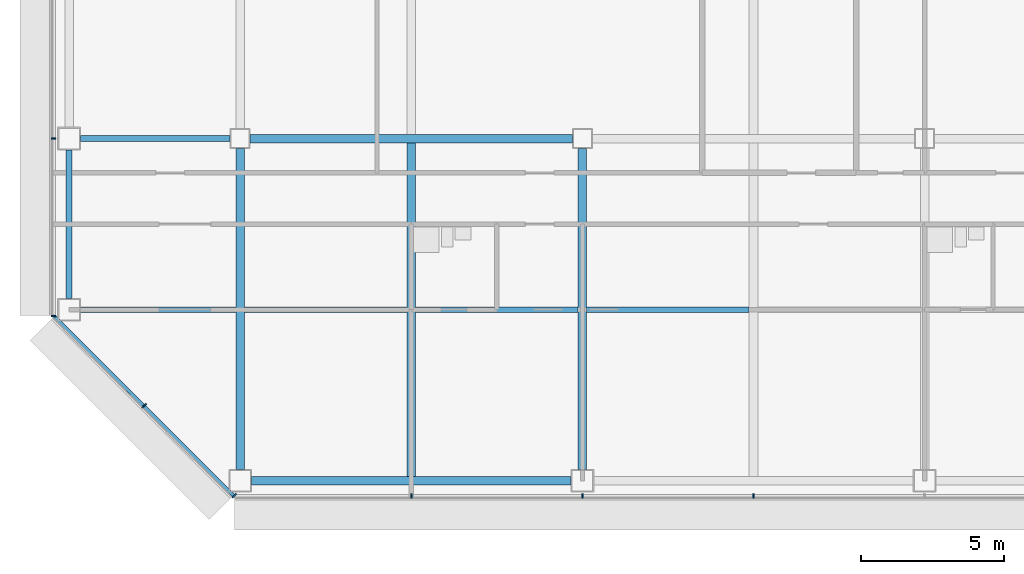
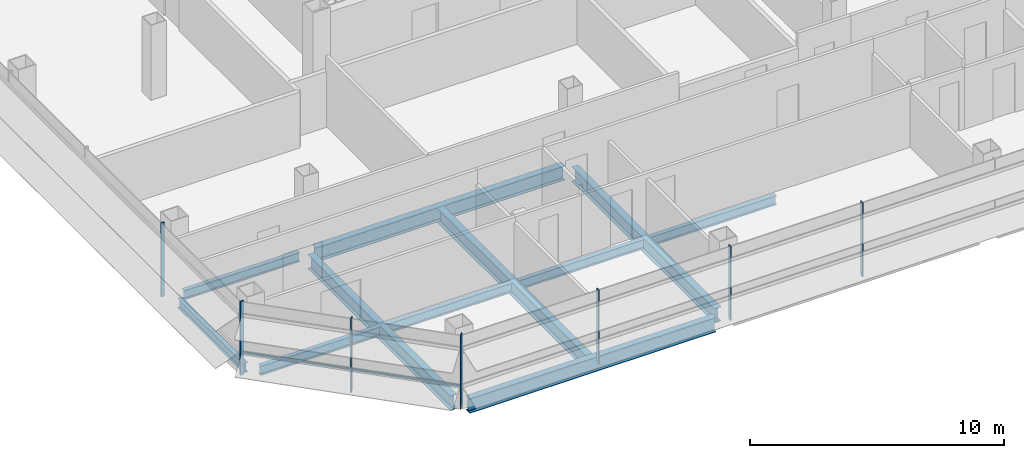
# One storey, part 2 of 26: 11 beams, 8 members, 3 elements without a shape of their own.
"""IFC4 building model written with IfcOpenShell, lengths in metres."""

from ifc_helpers import new_model, si_unit, direction, frame, origin, origin_2d, place, context, subcontext, project, spatial, rectangle, i_section, extrude, material, material_profile, profile_set, type_object, element, aggregate, save


model = new_model("IFC4")

# Units and contexts
model_context = context("Model", 3, precision=1e-05, world=origin(), true_north=direction((0.0, 1.0)))
body_context = subcontext(model_context, "Body", "Model", "MODEL_VIEW")
ifc_project = project(units=[si_unit("LENGTHUNIT", "METRE"), si_unit("AREAUNIT", "SQUARE_METRE"), si_unit("VOLUMEUNIT", "CUBIC_METRE"), si_unit("PLANEANGLEUNIT", "RADIAN"), si_unit("MASSUNIT", "GRAM", prefix="KILO")], contexts=[model_context])

# Site, building, storey
site_placement = place(None, origin())
site = spatial("IfcSite", under=ifc_project, at=site_placement, CompositionType="ELEMENT")
building_placement = place(site_placement, origin())
building = spatial("IfcBuilding", under=site, at=building_placement, Name="Sorahane Residences", CompositionType="ELEMENT")
storey_placement = place(building_placement, frame((0.0, 0.0, 110.60009765625)))
storey = spatial("IfcBuildingStorey", under=building, at=storey_placement, Name="L24", CompositionType="ELEMENT", Elevation=110.60009765625)

# Curtain wall, members
ifc_material_1 = material(Name="Dark low-e glass and black anodised aluminium", Category="aluminium")
curtain_wall_type_1 = type_object("IfcCurtainWallType", Name="Curtain wall CW-1 Typical unitised wall", PredefinedType="NOTDEFINED", material=ifc_material_1)
curtain_wall_1_placement = place(storey_placement, origin())
curtain_wall_1 = element("IfcCurtainWall", 1, at=curtain_wall_1_placement, inside=storey, type_object=curtain_wall_type_1, Name="CW-1 curtain wall L24 S1", PredefinedType="NOTDEFINED")
ifc_material_2 = material(Name="Black anodised aluminium", Category="aluminium")
ifc_material_profile_1 = material_profile(ifc_material_2, rectangle(XDim=0.159912109375, YDim=0.050048828125, at=origin_2d()), Name="Curtain wall mullion CW-1 black anodised aluminium 50x160")
ifc_profile_set_1 = profile_set([ifc_material_profile_1], Name="Black anodised aluminium")
member_type_1 = type_object("IfcMemberType", Name="Curtain wall mullion CW-1 black anodised aluminium 50x160", PredefinedType="MULLION", material=ifc_profile_set_1)
member_1_placement = place(storey_placement, frame((6.0, -0.5400390625, -0.18017578125), z_axis=(0.0, 0.0, 1.0), x_axis=(0.0, -1.0, 0.0)))
member_1 = element("IfcMember", 2, at=member_1_placement, type_object=member_type_1, Name="CW-1 mullion L24 S1.2", PredefinedType="MULLION", context=body_context, shape_type="SweptSolid", body=[
    extrude(rectangle(XDim=0.159912109375, YDim=0.050048828125, at=origin_2d()), origin(), (0.0, 0.0, 1.0), 3.56005859375),
])
member_2_placement = place(storey_placement, frame((12.0, -0.5400390625, -0.18017578125), z_axis=(0.0, 0.0, 1.0), x_axis=(0.0, -1.0, 0.0)))
member_2 = element("IfcMember", 3, at=member_2_placement, type_object=member_type_1, Name="CW-1 mullion L24 S1.3", PredefinedType="MULLION", context=body_context, shape_type="SweptSolid", body=[
    extrude(rectangle(XDim=0.159912109375, YDim=0.050048828125, at=origin_2d()), origin(), (0.0, 0.0, 1.0), 3.56005859375),
])
member_3_placement = place(storey_placement, frame((18.0, -0.5400390625, -0.18017578125), z_axis=(0.0, 0.0, 1.0), x_axis=(0.0, -1.0, 0.0)))
member_3 = element("IfcMember", 4, at=member_3_placement, type_object=member_type_1, Name="CW-1 mullion L24 S1.4", PredefinedType="MULLION", context=body_context, shape_type="SweptSolid", body=[
    extrude(rectangle(XDim=0.159912109375, YDim=0.050048828125, at=origin_2d()), origin(), (0.0, 0.0, 1.0), 3.56005859375),
])
aggregate(curtain_wall_1, [member_1, member_2, member_3])

curtain_wall_2_placement = place(storey_placement, origin())
curtain_wall_2 = element("IfcCurtainWall", 5, at=curtain_wall_2_placement, inside=storey, type_object=curtain_wall_type_1, Name="CW-1 curtain wall L24 W1", PredefinedType="NOTDEFINED")
member_4_placement = place(storey_placement, frame((-6.5400390625, 12.0, -0.18017578125), z_axis=(0.0, 0.0, 1.0), x_axis=(-1.0, 0.0, 0.0)))
member_4 = element("IfcMember", 6, at=member_4_placement, type_object=member_type_1, Name="CW-1 mullion L24 W1.6", PredefinedType="MULLION", context=body_context, shape_type="SweptSolid", body=[
    extrude(rectangle(XDim=0.159912109375, YDim=0.050048828125, at=origin_2d()), origin(), (0.0, 0.0, 1.0), 3.56005859375),
])
member_5_placement = place(storey_placement, frame((-6.5400390625, 5.7763671875, -0.18017578125), z_axis=(0.0, 0.0, 1.0), x_axis=(-1.0, 0.0, 0.0)))
member_5 = element("IfcMember", 7, at=member_5_placement, type_object=member_type_1, Name="CW-1 mullion L24 W1.7", PredefinedType="MULLION", context=body_context, shape_type="SweptSolid", body=[
    extrude(rectangle(XDim=0.159912109375, YDim=0.050048828125, at=origin_2d()), origin(), (0.0, 0.0, 1.0), 3.56005859375),
])
aggregate(curtain_wall_2, [member_4, member_5])

ifc_material_3 = material(Name="Dark low-e glass and black anodised aluminium", Category="aluminium")
curtain_wall_type_2 = type_object("IfcCurtainWallType", Name="Curtain wall CW-2 Chamfer unitised wall", PredefinedType="NOTDEFINED", material=ifc_material_3)
curtain_wall_3_placement = place(storey_placement, origin())
curtain_wall_3 = element("IfcCurtainWall", 8, at=curtain_wall_3_placement, inside=storey, type_object=curtain_wall_type_2, Name="CW-2 curtain wall L24 SW1", PredefinedType="NOTDEFINED")
ifc_material_4 = material(Name="Black anodised aluminium", Category="aluminium")
ifc_material_profile_2 = material_profile(ifc_material_4, rectangle(XDim=0.199951171875, YDim=0.050048828125, at=origin_2d()), Name="Curtain wall mullion CW-2 black anodised aluminium 50x200")
ifc_profile_set_2 = profile_set([ifc_material_profile_2], Name="Black anodised aluminium")
member_type_2 = type_object("IfcMemberType", Name="Curtain wall mullion CW-2 black anodised aluminium 50x200", PredefinedType="MULLION", material=ifc_profile_set_2)
member_6_placement = place(storey_placement, frame((-3.36767578125, 2.63232421875, -0.18017578125), z_axis=(0.0, 0.0, 1.0), x_axis=(-0.707106781187, -0.707106781187, 0.0)))
member_6 = element("IfcMember", 9, at=member_6_placement, type_object=member_type_2, Name="CW-2 mullion L24 SW1.2", PredefinedType="MULLION", context=body_context, shape_type="SweptSolid", body=[
    extrude(rectangle(XDim=0.199951171875, YDim=0.050048828125, at=origin_2d()), origin(), (0.0, 0.0, 1.0), 3.56005859375),
])
member_7_placement = place(storey_placement, frame((-0.209716796875, -0.525634765625, -0.18017578125), z_axis=(0.0, 0.0, 1.0), x_axis=(-0.707106781187, -0.707106781187, 0.0)))
member_7 = element("IfcMember", 10, at=member_7_placement, type_object=member_type_2, Name="CW-2 mullion L24 SW1.3", PredefinedType="MULLION", context=body_context, shape_type="SweptSolid", body=[
    extrude(rectangle(XDim=0.199951171875, YDim=0.050048828125, at=origin_2d()), origin(), (0.0, 0.0, 1.0), 3.56005859375),
])
ifc_material_5 = material(Name="Black anodised aluminium", Category="aluminium")
ifc_material_profile_3 = material_profile(ifc_material_5, rectangle(XDim=0.10009765625, YDim=0.06005859375, at=origin_2d()), Name="Curtain wall transom CW-2 black anodised aluminium 60x100")
ifc_profile_set_3 = profile_set([ifc_material_profile_3], Name="Black anodised aluminium")
member_type_3 = type_object("IfcMemberType", Name="Curtain wall transom CW-2 black anodised aluminium 60x100", PredefinedType="USERDEFINED", material=ifc_profile_set_3)
member_8_placement = place(storey_placement, frame((-6.51513671875, 5.765625, 0.89990234375), z_axis=(0.707106781187, -0.707106781187, 0.0), x_axis=(0.707106781187, 0.707106781187, 0.0)))
member_8 = element("IfcMember", 11, at=member_8_placement, type_object=member_type_3, Name="CW-2 transom L24 SW1", ObjectType="TRANSOM", PredefinedType="USERDEFINED", context=body_context, shape_type="SweptSolid", body=[
    extrude(rectangle(XDim=0.10009765625, YDim=0.06005859375, at=origin_2d()), origin(), (0.0, 0.0, 1.0), 8.88232421875),
])
aggregate(curtain_wall_3, [member_6, member_7, member_8])

# Beams
ifc_material_6 = material(Name="Steel Q355B", Category="steel")
ifc_material_profile_4 = material_profile(ifc_material_6, i_section(OverallWidth=0.199951171875, OverallDepth=0.449951171875, WebThickness=0.009033203125, FlangeThickness=0.013916015625, FilletRadius=0.02001953125, at=origin_2d()), Name="HN 450x200x9x14")
ifc_profile_set_4 = profile_set([ifc_material_profile_4], Name="Steel Q355B")
beam_type_1 = type_object("IfcBeamType", Name="Steel floor beam HN 450x200x9x14 Q355B", PredefinedType="BEAM", material=ifc_profile_set_4)
beam_1_placement = place(storey_placement, frame((-5.60009765625, 12.0, -0.405029296875), z_axis=(1.0, 0.0, 0.0), x_axis=(0.0, 1.0, 0.0)))
element("IfcBeam", 12, at=beam_1_placement, inside=storey, type_object=beam_type_1, Name="Beam L24 005", PredefinedType="BEAM", context=body_context, shape_type="SweptSolid", body=[
    extrude(i_section(OverallWidth=0.199951171875, OverallDepth=0.449951171875, WebThickness=0.009033203125, FlangeThickness=0.013916015625, FilletRadius=0.02001953125, at=origin_2d()), origin(), (0.0, 0.0, 1.0), 5.25),
])
beam_2_placement = place(storey_placement, frame((-6.0, 6.39990234375, -0.405029296875), z_axis=(0.0, 1.0, 0.0), x_axis=(-1.0, 0.0, 0.0)))
element("IfcBeam", 13, at=beam_2_placement, inside=storey, type_object=beam_type_1, Name="Beam L24 020", PredefinedType="BEAM", context=body_context, shape_type="SweptSolid", body=[
    extrude(i_section(OverallWidth=0.199951171875, OverallDepth=0.449951171875, WebThickness=0.009033203125, FlangeThickness=0.013916015625, FilletRadius=0.02001953125, at=origin_2d()), origin(), (0.0, 0.0, 1.0), 5.2001953125),
])
beam_3_placement = place(storey_placement, frame((-5.60009765625, 6.0, -0.405029296875), z_axis=(1.0, 0.0, 0.0), x_axis=(0.0, 1.0, 0.0)))
element("IfcBeam", 14, at=beam_3_placement, inside=storey, type_object=beam_type_1, Name="Beam L24 068", PredefinedType="BEAM", context=body_context, shape_type="SweptSolid", body=[
    extrude(i_section(OverallWidth=0.199951171875, OverallDepth=0.449951171875, WebThickness=0.009033203125, FlangeThickness=0.013916015625, FilletRadius=0.02001953125, at=origin_2d()), origin(), (0.0, 0.0, 1.0), 5.4501953125),
])
for number, where, z_axis, x_axis, name in (
    (15, (0.14990234375, 6.0, -0.405029296875), (1.0, 0.0, 0.0), (0.0, 1.0, 0.0), "Beam L24 069"),
    (16, (6.14990234375, 6.0, -0.405029296875), (1.0, 0.0, 0.0), (0.0, 1.0, 0.0), "Beam L24 070"),
    (17, (12.14990234375, 6.0, -0.405029296875), (1.0, 0.0, 0.0), (0.0, 1.0, 0.0), "Beam L24 071"),
):
    element("IfcBeam", number, at=place(storey_placement, frame(where, z_axis=z_axis, x_axis=x_axis)), inside=storey, type_object=beam_type_1, Name=name, PredefinedType="BEAM", context=body_context, shape_type="SweptSolid", body=[
        extrude(i_section(OverallWidth=0.199951171875, OverallDepth=0.449951171875, WebThickness=0.009033203125, FlangeThickness=0.013916015625, FilletRadius=0.02001953125, at=origin_2d()), origin(), (0.0, 0.0, 1.0), 5.7001953125),
    ])
ifc_material_7 = material(Name="Steel Q355B", Category="steel")
ifc_material_profile_5 = material_profile(ifc_material_7, i_section(OverallWidth=0.300048828125, OverallDepth=0.699951171875, WebThickness=0.012939453125, FlangeThickness=0.02392578125, FilletRadius=0.028076171875, at=origin_2d()), Name="HN 700x300x13x24")
ifc_profile_set_5 = profile_set([ifc_material_profile_5], Name="Steel Q355B")
beam_type_2 = type_object("IfcBeamType", Name="Steel floor beam HN 700x300x13x24 Q355B", PredefinedType="BEAM", material=ifc_profile_set_5)
beam_4_placement = place(storey_placement, frame((0.39990234375, 0.0, -0.530029296875), z_axis=(1.0, 0.0, 0.0), x_axis=(0.0, 1.0, 0.0)))
element("IfcBeam", 18, at=beam_4_placement, inside=storey, type_object=beam_type_2, Name="Beam L24 000", PredefinedType="BEAM", context=body_context, shape_type="SweptSolid", body=[
    extrude(i_section(OverallWidth=0.300048828125, OverallDepth=0.699951171875, WebThickness=0.012939453125, FlangeThickness=0.02392578125, FilletRadius=0.028076171875, at=origin_2d()), origin(), (0.0, 0.0, 1.0), 11.2001953125),
])
beam_5_placement = place(storey_placement, frame((0.35009765625, 12.0, -0.530029296875), z_axis=(1.0, 0.0, 0.0), x_axis=(0.0, 1.0, 0.0)))
element("IfcBeam", 19, at=beam_5_placement, inside=storey, type_object=beam_type_2, Name="Beam L24 006", PredefinedType="BEAM", context=body_context, shape_type="SweptSolid", body=[
    extrude(i_section(OverallWidth=0.300048828125, OverallDepth=0.699951171875, WebThickness=0.012939453125, FlangeThickness=0.02392578125, FilletRadius=0.028076171875, at=origin_2d()), origin(), (0.0, 0.0, 1.0), 11.2998046875),
])
beam_6_placement = place(storey_placement, frame((0.0, 0.39990234375, -0.530029296875), z_axis=(0.0, 1.0, 0.0), x_axis=(-1.0, 0.0, 0.0)))
element("IfcBeam", 20, at=beam_6_placement, inside=storey, type_object=beam_type_2, Name="Beam L24 024", PredefinedType="BEAM", context=body_context, shape_type="SweptSolid", body=[
    extrude(i_section(OverallWidth=0.300048828125, OverallDepth=0.699951171875, WebThickness=0.012939453125, FlangeThickness=0.02392578125, FilletRadius=0.028076171875, at=origin_2d()), origin(), (0.0, 0.0, 1.0), 11.25),
])
beam_7_placement = place(storey_placement, frame((6.0, 0.14990234375, -0.530029296875), z_axis=(0.0, 1.0, 0.0), x_axis=(-1.0, 0.0, 0.0)))
element("IfcBeam", 21, at=beam_7_placement, inside=storey, type_object=beam_type_2, Name="Beam L24 028", PredefinedType="BEAM", context=body_context, shape_type="SweptSolid", body=[
    extrude(i_section(OverallWidth=0.300048828125, OverallDepth=0.699951171875, WebThickness=0.012939453125, FlangeThickness=0.02392578125, FilletRadius=0.028076171875, at=origin_2d()), origin(), (0.0, 0.0, 1.0), 11.7001953125),
])
beam_8_placement = place(storey_placement, frame((12.0, 0.39990234375, -0.530029296875), z_axis=(0.0, 1.0, 0.0), x_axis=(-1.0, 0.0, 0.0)))
element("IfcBeam", 22, at=beam_8_placement, inside=storey, type_object=beam_type_2, Name="Beam L24 034", PredefinedType="BEAM", context=body_context, shape_type="SweptSolid", body=[
    extrude(i_section(OverallWidth=0.300048828125, OverallDepth=0.699951171875, WebThickness=0.012939453125, FlangeThickness=0.02392578125, FilletRadius=0.028076171875, at=origin_2d()), origin(), (0.0, 0.0, 1.0), 11.25),
])

save(model, "model.ifc")
